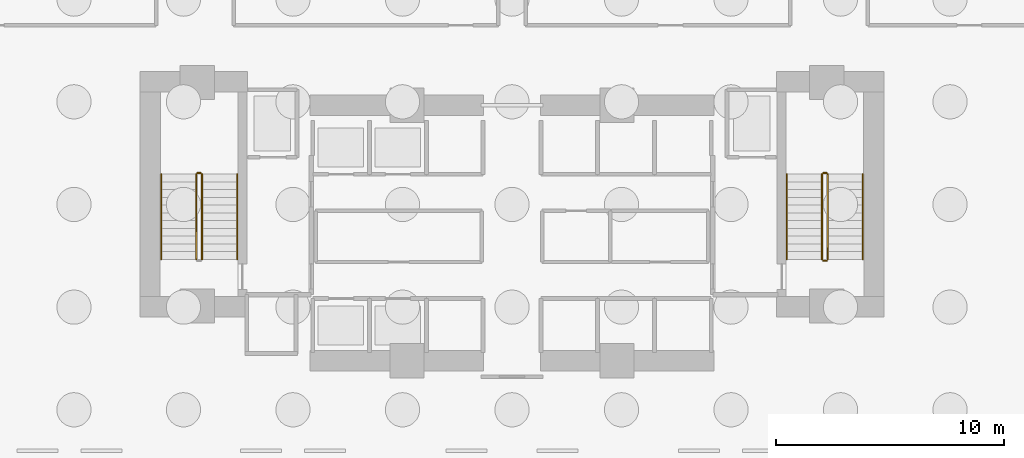
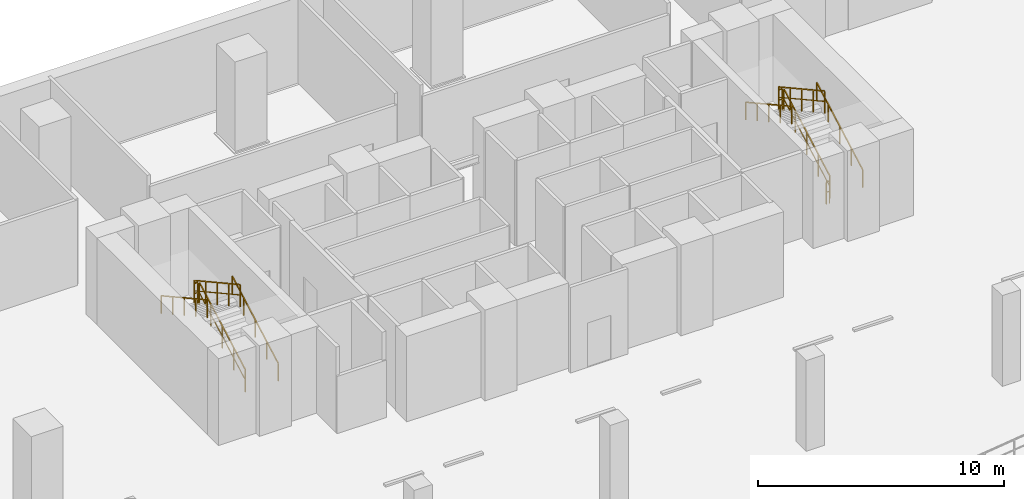
# One storey, part 10 of 13: 11 railings.
"""IFC4 building model written with IfcOpenShell, lengths in metres."""

import ifcopenshell
import ifcopenshell.guid

model = None  # the IFC model being written
_history = None  # IfcOwnerHistory: only IFC2X3 demands one
_inside = {}  # id of a spatial element -> (the spatial element, [elements in it])
_under = {}  # id of a project, library or spatial element -> (it, [spatial elements below it])
_declared = {}  # id of a project -> (the project, [libraries it declares])
_typed = {}  # id of a type object -> (the type object, [elements of that type])
_made_of = {}  # id of a material, layer set ... -> (it, [elements and type objects made of it])


def new_model(schema):
    """Start an empty IFC model of exactly this schema.

    Asked for "IFC4X3", IfcOpenShell would pick the latest addendum, in which some entities
    have other attributes; the version numbers below select the first issue.
    IFC2X3 requires an IfcOwnerHistory on every rooted entity: one is made here for all.
    """
    global model, _history
    if schema == "IFC4X3":
        model = ifcopenshell.file(schema_version=(4, 3, 0, 0))
    else:
        model = ifcopenshell.file(schema=schema)
    _inside.clear()
    _under.clear()
    _declared.clear()
    _typed.clear()
    _made_of.clear()
    _history = None
    if model.schema == "IFC2X3":
        org = make("IfcOrganization", Name="unknown")
        user = make(
            "IfcPersonAndOrganization",
            ThePerson=make("IfcPerson", FamilyName="unknown"),
            TheOrganization=org,
        )
        app = make(
            "IfcApplication",
            ApplicationDeveloper=org,
            Version="unknown",
            ApplicationFullName="unknown",
            ApplicationIdentifier="unknown",
        )
        _history = make(
            "IfcOwnerHistory",
            OwningUser=user,
            OwningApplication=app,
            ChangeAction="ADDED",
            CreationDate=0,
        )
    return model


def make(cls, **values):
    """One entity of the class cls with the attributes given. An attribute that is None is left unset."""
    return model.create_entity(
        cls, **{name: value for name, value in values.items() if value is not None}
    )


def rooted(cls, **values):
    """An entity with a GlobalId (a new one), such as an element, a storey or a relation."""
    return make(cls, GlobalId=ifcopenshell.guid.new(), OwnerHistory=_history, **values)


def si_unit(unit_type, name, prefix=None):
    """IfcSIUnit, for example si_unit("LENGTHUNIT", "METRE", prefix="MILLI")."""
    return make("IfcSIUnit", UnitType=unit_type, Prefix=prefix, Name=name)


def assignment(units):
    """IfcUnitAssignment: the units of a project."""
    return None if units is None else make("IfcUnitAssignment", Units=units)


def point(xyz):
    """IfcCartesianPoint."""
    return None if xyz is None else make("IfcCartesianPoint", Coordinates=xyz)


def direction(xyz):
    """IfcDirection."""
    return None if xyz is None else make("IfcDirection", DirectionRatios=xyz)


def frame(location, z_axis=None, x_axis=None):
    """IfcAxis2Placement3D, a coordinate frame: its origin and axes. An axis left out is left unset."""
    return make(
        "IfcAxis2Placement3D",
        Location=point(location),
        Axis=direction(z_axis),
        RefDirection=direction(x_axis),
    )


def frame_2d(location, x_axis=None):
    """IfcAxis2Placement2D, a coordinate frame in the plane: its origin and x axis."""
    return make(
        "IfcAxis2Placement2D", Location=point(location), RefDirection=direction(x_axis)
    )


def origin():
    """The frame at (0, 0, 0) with its axes left unset."""
    return frame((0.0, 0.0, 0.0))


def origin_2d():
    """The frame at (0, 0) in the plane with its x axis left unset."""
    return frame_2d((0.0, 0.0))


def place(relative_to, where):
    """IfcLocalPlacement: puts the frame where relative to a parent placement (None: the world)."""
    return make(
        "IfcLocalPlacement", PlacementRelTo=relative_to, RelativePlacement=where
    )


def context(
    kind, dimensions, precision=None, world=None, true_north=None, identifier=None
):
    """IfcGeometricRepresentationContext, for example the 3D "Model" context."""
    return make(
        "IfcGeometricRepresentationContext",
        ContextIdentifier=identifier,
        ContextType=kind,
        CoordinateSpaceDimension=dimensions,
        Precision=precision,
        WorldCoordinateSystem=world,
        TrueNorth=true_north,
    )


def subcontext(parent, identifier, kind, view, scale=None):
    """IfcGeometricRepresentationSubContext, for example "Body" below "Model"."""
    return make(
        "IfcGeometricRepresentationSubContext",
        ContextIdentifier=identifier,
        ContextType=kind,
        ParentContext=parent,
        TargetScale=scale,
        TargetView=view,
    )


def project(units=None, contexts=None):
    """IfcProject with its units and contexts."""
    return rooted(
        "IfcProject",
        Name="project",
        RepresentationContexts=contexts,
        UnitsInContext=assignment(units),
    )


def spatial(cls, under=None, at=None, **own):
    """A site, building, storey or space (cls), placed at a placement, below another one or the project."""
    s = rooted(cls, ObjectPlacement=at, **own)
    if under is not None:
        _under.setdefault(under.id(), (under, []))[1].append(s)
    return s


def profile(cls, at=None, kind="AREA", **sizes):
    """A parametric profile (cls). Its sizes go by their IFC names, for example OverallWidth=200.0."""
    return make(cls, ProfileType=kind, Position=at, **sizes)


def rectangle(**sizes):
    """IfcRectangleProfileDef."""
    return profile("IfcRectangleProfileDef", **sizes)


def extrude(swept, where, along, depth):
    """IfcExtrudedAreaSolid: the profile swept, set in the frame where, extruded along a direction by depth."""
    return make(
        "IfcExtrudedAreaSolid",
        SweptArea=swept,
        Position=where,
        ExtrudedDirection=direction(along),
        Depth=depth,
    )


def shape(context_of_items, identifier, shape_type, items):
    """IfcShapeRepresentation: the items that make up one representation, for example the "Body"."""
    return make(
        "IfcShapeRepresentation",
        ContextOfItems=context_of_items,
        RepresentationIdentifier=identifier,
        RepresentationType=shape_type,
        Items=items,
    )


def material(Name=None, Category=None):
    """IfcMaterial."""
    return make("IfcMaterial", Name=Name, Category=Category)


def made_of(thing, what):
    """Note that an element or type object is made of a material, layer set ...; save() writes the relation."""
    if what is not None:
        _made_of.setdefault(what.id(), (what, []))[1].append(thing)
    return thing


def type_object(cls, material=None, **own):
    """A type object (cls), such as IfcWallType, which elements share."""
    return made_of(rooted(cls, **own), material)


def element(
    cls,
    number,
    at=None,
    inside=None,
    cuts=None,
    type_object=None,
    material=None,
    context=None,
    identifier="Body",
    shape_type=None,
    held_by="IfcProductDefinitionShape",
    body=None,
    shapes=None,
    **own,
):
    """One element of the class cls, such as IfcWall. Its Tag is "e" and its number.

    at: its placement. inside: the storey or other place that contains it. cuts: it is an
    opening in that element (IfcRelVoidsElement). A single representation is given by context,
    identifier, shape_type and body (its items); several are given by shapes. held_by: the class
    of the entity that holds the representations. save() writes the other relations.
    """
    e = rooted(cls, Tag="e%d" % number, ObjectPlacement=at, **own)
    if body is not None:
        shapes = [shape(context, identifier, shape_type, body)]
    if shapes is not None:
        e.Representation = make(held_by, Representations=shapes)
    if inside is not None:
        _inside.setdefault(inside.id(), (inside, []))[1].append(e)
    if cuts is not None:
        rooted(
            "IfcRelVoidsElement", RelatingBuildingElement=cuts, RelatedOpeningElement=e
        )
    if type_object is not None:
        _typed.setdefault(type_object.id(), (type_object, []))[1].append(e)
    return made_of(e, material)


def aggregate(whole, parts):
    """IfcRelAggregates: a whole, such as a stair, and the parts it consists of."""
    return rooted("IfcRelAggregates", RelatingObject=whole, RelatedObjects=parts)


def save(model, path):
    """Write the relations noted so far, then the file.

    IfcRelAggregates (storeys below a building ...), IfcRelContainedInSpatialStructure (elements
    in a storey), IfcRelDefinesByType, IfcRelAssociatesMaterial and IfcRelDeclares: one each for
    every whole, place, type object, material and project.
    """
    for whole, parts in _under.values():
        aggregate(whole, parts)
    for where, things in _inside.values():
        rooted(
            "IfcRelContainedInSpatialStructure",
            RelatedElements=things,
            RelatingStructure=where,
        )
    for kind, things in _typed.values():
        rooted("IfcRelDefinesByType", RelatedObjects=things, RelatingType=kind)
    for what, things in _made_of.values():
        rooted("IfcRelAssociatesMaterial", RelatedObjects=things, RelatingMaterial=what)
    for by, libraries in _declared.values():
        rooted("IfcRelDeclares", RelatingContext=by, RelatedDefinitions=libraries)
    model.write(path)


model = new_model("IFC4")

# Units and contexts
model_context = context("Model", 3, precision=1e-05, world=origin(), true_north=direction((0.0, 1.0)))
body_context = subcontext(model_context, "Body", "Model", "MODEL_VIEW")
ifc_project = project(units=[si_unit("LENGTHUNIT", "METRE"), si_unit("AREAUNIT", "SQUARE_METRE"), si_unit("VOLUMEUNIT", "CUBIC_METRE"), si_unit("PLANEANGLEUNIT", "RADIAN"), si_unit("MASSUNIT", "GRAM", prefix="KILO")], contexts=[model_context])

# Site, building, storey
site_placement = place(None, origin())
site = spatial("IfcSite", under=ifc_project, at=site_placement, CompositionType="ELEMENT")
building_placement = place(site_placement, origin())
building = spatial("IfcBuilding", under=site, at=building_placement, Name="Zuhayl Quay Hotel", CompositionType="ELEMENT")
storey_placement = place(building_placement, frame((0.0, 0.0, -9.0)))
storey = spatial("IfcBuildingStorey", under=building, at=storey_placement, Name="B2", CompositionType="ELEMENT", Elevation=-9.0)

# Railings
ifc_material = material(Name="Steel ASTM A992 Grade 50", Category="steel")
railing_type_1 = type_object("IfcRailingType", Name="RL_GUARD_1100", PredefinedType="GUARDRAIL", material=ifc_material)
railing_1_placement = place(storey_placement, frame((-13.590087890625, 6.590087890625, 0.1875)))
element("IfcRailing", 1, at=railing_1_placement, inside=storey, type_object=railing_type_1, Name="B2 ST1 stair guard 1", PredefinedType="GUARDRAIL", context=body_context, shape_type="SweptSolid", body=[
    extrude(rectangle(XDim=0.048095703125, YDim=0.048095703125, at=origin_2d()), frame((0.0, 0.0, 1.09619140625), z_axis=(0.0, 0.875671045107, 0.482908087281), x_axis=(-1.0, 0.0, 0.0)), (0.0, 0.0, 1.0), 4.27099609375),
    extrude(rectangle(XDim=0.0361328125, YDim=0.0361328125, at=origin_2d()), frame((0.0, 0.0, 0.58251953125), z_axis=(0.0, 0.875671045107, 0.482908087281), x_axis=(-1.0, 0.0, 0.0)), (0.0, 0.0, 1.0), 4.27099609375),
    extrude(rectangle(XDim=0.0419921875, YDim=0.0419921875, at=origin_2d()), origin(), (0.0, 0.0, 1.0), 1.072021484375),
    extrude(rectangle(XDim=0.0419921875, YDim=0.0419921875, at=origin_2d()), frame((0.0, 0.93505859375, 0.515625)), (0.0, 0.0, 1.0), 1.072021484375),
    extrude(rectangle(XDim=0.0419921875, YDim=0.0419921875, at=origin_2d()), frame((0.0, 1.8701171875, 1.03125)), (0.0, 0.0, 1.0), 1.072021484375),
    extrude(rectangle(XDim=0.0419921875, YDim=0.0419921875, at=origin_2d()), frame((0.0, 2.804931640625, 1.546875)), (0.0, 0.0, 1.0), 1.072021484375),
    extrude(rectangle(XDim=0.0419921875, YDim=0.0419921875, at=origin_2d()), frame((0.0, 3.739990234375, 2.0625)), (0.0, 0.0, 1.0), 1.072021484375),
])
railing_2_placement = place(storey_placement, frame((-13.639892578125, 10.3798828125, 2.25)))
element("IfcRailing", 2, at=railing_2_placement, inside=storey, type_object=railing_type_1, Name="B2 ST1 stair guard 2", PredefinedType="GUARDRAIL", context=body_context, shape_type="SweptSolid", body=[
    extrude(rectangle(XDim=0.048095703125, YDim=0.048095703125, at=origin_2d()), frame((0.0, 0.0, 1.09619140625), z_axis=(-1.0, 0.0, 0.0), x_axis=(0.0, -1.0, 0.0)), (0.0, 0.0, 1.0), 0.150146484375),
    extrude(rectangle(XDim=0.0361328125, YDim=0.0361328125, at=origin_2d()), frame((0.0, 0.0, 0.58251953125), z_axis=(-1.0, 0.0, 0.0), x_axis=(0.0, -1.0, 0.0)), (0.0, 0.0, 1.0), 0.150146484375),
    extrude(rectangle(XDim=0.0419921875, YDim=0.0419921875, at=origin_2d()), origin(), (0.0, 0.0, 1.0), 1.072021484375),
    extrude(rectangle(XDim=0.0419921875, YDim=0.0419921875, at=origin_2d()), frame((-0.150146484375, 0.0, 0.0)), (0.0, 0.0, 1.0), 1.072021484375),
])
railing_3_placement = place(storey_placement, frame((-13.840087890625, 10.330078125, 2.4375)))
element("IfcRailing", 3, at=railing_3_placement, inside=storey, type_object=railing_type_1, Name="B2 ST1 stair guard 3", PredefinedType="GUARDRAIL", context=body_context, shape_type="SweptSolid", body=[
    extrude(rectangle(XDim=0.048095703125, YDim=0.048095703125, at=origin_2d()), frame((0.0, 0.0, 1.09619140625), z_axis=(0.0, -0.875671045107, 0.482908087281), x_axis=(1.0, 0.0, 0.0)), (0.0, 0.0, 1.0), 4.27099609375),
    extrude(rectangle(XDim=0.0361328125, YDim=0.0361328125, at=origin_2d()), frame((0.0, 0.0, 0.58251953125), z_axis=(0.0, -0.875671045107, 0.482908087281), x_axis=(1.0, 0.0, 0.0)), (0.0, 0.0, 1.0), 4.27099609375),
    extrude(rectangle(XDim=0.0419921875, YDim=0.0419921875, at=origin_2d()), origin(), (0.0, 0.0, 1.0), 1.072021484375),
    extrude(rectangle(XDim=0.0419921875, YDim=0.0419921875, at=origin_2d()), frame((0.0, -0.93505859375, 0.515625)), (0.0, 0.0, 1.0), 1.072021484375),
    extrude(rectangle(XDim=0.0419921875, YDim=0.0419921875, at=origin_2d()), frame((0.0, -1.8701171875, 1.03125)), (0.0, 0.0, 1.0), 1.072021484375),
    extrude(rectangle(XDim=0.0419921875, YDim=0.0419921875, at=origin_2d()), frame((0.0, -2.804931640625, 1.546875)), (0.0, 0.0, 1.0), 1.072021484375),
    extrude(rectangle(XDim=0.0419921875, YDim=0.0419921875, at=origin_2d()), frame((0.0, -3.739990234375, 2.0625)), (0.0, 0.0, 1.0), 1.072021484375),
])
railing_4_placement = place(storey_placement, frame((13.840087890625, 6.590087890625, 0.1875)))
element("IfcRailing", 4, at=railing_4_placement, inside=storey, type_object=railing_type_1, Name="B2 ST2 stair guard 1", PredefinedType="GUARDRAIL", context=body_context, shape_type="SweptSolid", body=[
    extrude(rectangle(XDim=0.048095703125, YDim=0.048095703125, at=origin_2d()), frame((0.0, 0.0, 1.09619140625), z_axis=(0.0, 0.875671045107, 0.482908087281), x_axis=(-1.0, 0.0, 0.0)), (0.0, 0.0, 1.0), 4.27099609375),
    extrude(rectangle(XDim=0.0361328125, YDim=0.0361328125, at=origin_2d()), frame((0.0, 0.0, 0.58251953125), z_axis=(0.0, 0.875671045107, 0.482908087281), x_axis=(-1.0, 0.0, 0.0)), (0.0, 0.0, 1.0), 4.27099609375),
    extrude(rectangle(XDim=0.0419921875, YDim=0.0419921875, at=origin_2d()), origin(), (0.0, 0.0, 1.0), 1.072021484375),
    extrude(rectangle(XDim=0.0419921875, YDim=0.0419921875, at=origin_2d()), frame((0.0, 0.93505859375, 0.515625)), (0.0, 0.0, 1.0), 1.072021484375),
    extrude(rectangle(XDim=0.0419921875, YDim=0.0419921875, at=origin_2d()), frame((0.0, 1.8701171875, 1.03125)), (0.0, 0.0, 1.0), 1.072021484375),
    extrude(rectangle(XDim=0.0419921875, YDim=0.0419921875, at=origin_2d()), frame((0.0, 2.804931640625, 1.546875)), (0.0, 0.0, 1.0), 1.072021484375),
    extrude(rectangle(XDim=0.0419921875, YDim=0.0419921875, at=origin_2d()), frame((0.0, 3.739990234375, 2.0625)), (0.0, 0.0, 1.0), 1.072021484375),
])
railing_5_placement = place(storey_placement, frame((13.7900390625, 10.3798828125, 2.25)))
element("IfcRailing", 5, at=railing_5_placement, inside=storey, type_object=railing_type_1, Name="B2 ST2 stair guard 2", PredefinedType="GUARDRAIL", context=body_context, shape_type="SweptSolid", body=[
    extrude(rectangle(XDim=0.048095703125, YDim=0.048095703125, at=origin_2d()), frame((0.0, 0.0, 1.09619140625), z_axis=(-1.0, 0.0, 0.0), x_axis=(0.0, -1.0, 0.0)), (0.0, 0.0, 1.0), 0.150146484375),
    extrude(rectangle(XDim=0.0361328125, YDim=0.0361328125, at=origin_2d()), frame((0.0, 0.0, 0.58251953125), z_axis=(-1.0, 0.0, 0.0), x_axis=(0.0, -1.0, 0.0)), (0.0, 0.0, 1.0), 0.150146484375),
    extrude(rectangle(XDim=0.0419921875, YDim=0.0419921875, at=origin_2d()), origin(), (0.0, 0.0, 1.0), 1.072021484375),
    extrude(rectangle(XDim=0.0419921875, YDim=0.0419921875, at=origin_2d()), frame((-0.150146484375, 0.0, 0.0)), (0.0, 0.0, 1.0), 1.072021484375),
])
railing_6_placement = place(storey_placement, frame((13.590087890625, 10.330078125, 2.4375)))
element("IfcRailing", 6, at=railing_6_placement, inside=storey, type_object=railing_type_1, Name="B2 ST2 stair guard 3", PredefinedType="GUARDRAIL", context=body_context, shape_type="SweptSolid", body=[
    extrude(rectangle(XDim=0.048095703125, YDim=0.048095703125, at=origin_2d()), frame((0.0, 0.0, 1.09619140625), z_axis=(0.0, -0.875671045107, 0.482908087281), x_axis=(1.0, 0.0, 0.0)), (0.0, 0.0, 1.0), 4.27099609375),
    extrude(rectangle(XDim=0.0361328125, YDim=0.0361328125, at=origin_2d()), frame((0.0, 0.0, 0.58251953125), z_axis=(0.0, -0.875671045107, 0.482908087281), x_axis=(1.0, 0.0, 0.0)), (0.0, 0.0, 1.0), 4.27099609375),
    extrude(rectangle(XDim=0.0419921875, YDim=0.0419921875, at=origin_2d()), origin(), (0.0, 0.0, 1.0), 1.072021484375),
    extrude(rectangle(XDim=0.0419921875, YDim=0.0419921875, at=origin_2d()), frame((0.0, -0.93505859375, 0.515625)), (0.0, 0.0, 1.0), 1.072021484375),
    extrude(rectangle(XDim=0.0419921875, YDim=0.0419921875, at=origin_2d()), frame((0.0, -1.8701171875, 1.03125)), (0.0, 0.0, 1.0), 1.072021484375),
    extrude(rectangle(XDim=0.0419921875, YDim=0.0419921875, at=origin_2d()), frame((0.0, -2.804931640625, 1.546875)), (0.0, 0.0, 1.0), 1.072021484375),
    extrude(rectangle(XDim=0.0419921875, YDim=0.0419921875, at=origin_2d()), frame((0.0, -3.739990234375, 2.0625)), (0.0, 0.0, 1.0), 1.072021484375),
])
railing_7_placement = place(storey_placement, frame((13.7900390625, 6.5400390625, 0.0)))
element("IfcRailing", 7, at=railing_7_placement, inside=storey, type_object=railing_type_1, Name="B2 ST2 stair guard 4", PredefinedType="GUARDRAIL", context=body_context, shape_type="SweptSolid", body=[
    extrude(rectangle(XDim=0.048095703125, YDim=0.048095703125, at=origin_2d()), frame((0.0, 0.0, 1.09619140625), z_axis=(-1.0, 0.0, 0.0), x_axis=(0.0, -1.0, 0.0)), (0.0, 0.0, 1.0), 0.150146484375),
    extrude(rectangle(XDim=0.0361328125, YDim=0.0361328125, at=origin_2d()), frame((0.0, 0.0, 0.58251953125), z_axis=(-1.0, 0.0, 0.0), x_axis=(0.0, -1.0, 0.0)), (0.0, 0.0, 1.0), 0.150146484375),
    extrude(rectangle(XDim=0.0419921875, YDim=0.0419921875, at=origin_2d()), origin(), (0.0, 0.0, 1.0), 1.072021484375),
    extrude(rectangle(XDim=0.0419921875, YDim=0.0419921875, at=origin_2d()), frame((-0.150146484375, 0.0, 0.0)), (0.0, 0.0, 1.0), 1.072021484375),
])
railing_type_2 = type_object("IfcRailingType", Name="RL_HANDRAIL_920", PredefinedType="HANDRAIL", material=ifc_material)
railing_8_placement = place(storey_placement, frame((-12.050048828125, 6.590087890625, 0.1875)))
element("IfcRailing", 8, at=railing_8_placement, inside=storey, type_object=railing_type_2, Name="B2 ST1 stair handrail 1", PredefinedType="HANDRAIL", context=body_context, shape_type="SweptSolid", body=[
    extrude(rectangle(XDim=0.048095703125, YDim=0.048095703125, at=origin_2d()), frame((0.0, 0.0, 0.8759765625), z_axis=(0.0, 0.875671045107, 0.482908087281), x_axis=(-1.0, 0.0, 0.0)), (0.0, 0.0, 1.0), 4.27099609375),
    extrude(rectangle(XDim=0.0419921875, YDim=0.0419921875, at=origin_2d()), origin(), (0.0, 0.0, 1.0), 0.851806640625),
    extrude(rectangle(XDim=0.0419921875, YDim=0.0419921875, at=origin_2d()), frame((0.0, 0.93505859375, 0.515625)), (0.0, 0.0, 1.0), 0.851806640625),
    extrude(rectangle(XDim=0.0419921875, YDim=0.0419921875, at=origin_2d()), frame((0.0, 1.8701171875, 1.03125)), (0.0, 0.0, 1.0), 0.851806640625),
    extrude(rectangle(XDim=0.0419921875, YDim=0.0419921875, at=origin_2d()), frame((0.0, 2.804931640625, 1.546875)), (0.0, 0.0, 1.0), 0.851806640625),
    extrude(rectangle(XDim=0.0419921875, YDim=0.0419921875, at=origin_2d()), frame((0.0, 3.739990234375, 2.0625)), (0.0, 0.0, 1.0), 0.851806640625),
])
railing_9_placement = place(storey_placement, frame((-15.3798828125, 10.330078125, 2.4375)))
element("IfcRailing", 9, at=railing_9_placement, inside=storey, type_object=railing_type_2, Name="B2 ST1 stair handrail 2", PredefinedType="HANDRAIL", context=body_context, shape_type="SweptSolid", body=[
    extrude(rectangle(XDim=0.048095703125, YDim=0.048095703125, at=origin_2d()), frame((0.0, 0.0, 0.8759765625), z_axis=(0.0, -0.875671045107, 0.482908087281), x_axis=(1.0, 0.0, 0.0)), (0.0, 0.0, 1.0), 4.27099609375),
    extrude(rectangle(XDim=0.0419921875, YDim=0.0419921875, at=origin_2d()), origin(), (0.0, 0.0, 1.0), 0.851806640625),
    extrude(rectangle(XDim=0.0419921875, YDim=0.0419921875, at=origin_2d()), frame((0.0, -0.93505859375, 0.515625)), (0.0, 0.0, 1.0), 0.851806640625),
    extrude(rectangle(XDim=0.0419921875, YDim=0.0419921875, at=origin_2d()), frame((0.0, -1.8701171875, 1.03125)), (0.0, 0.0, 1.0), 0.851806640625),
    extrude(rectangle(XDim=0.0419921875, YDim=0.0419921875, at=origin_2d()), frame((0.0, -2.804931640625, 1.546875)), (0.0, 0.0, 1.0), 0.851806640625),
    extrude(rectangle(XDim=0.0419921875, YDim=0.0419921875, at=origin_2d()), frame((0.0, -3.739990234375, 2.0625)), (0.0, 0.0, 1.0), 0.851806640625),
])
railing_10_placement = place(storey_placement, frame((15.3798828125, 6.590087890625, 0.1875)))
element("IfcRailing", 10, at=railing_10_placement, inside=storey, type_object=railing_type_2, Name="B2 ST2 stair handrail 1", PredefinedType="HANDRAIL", context=body_context, shape_type="SweptSolid", body=[
    extrude(rectangle(XDim=0.048095703125, YDim=0.048095703125, at=origin_2d()), frame((0.0, 0.0, 0.8759765625), z_axis=(0.0, 0.875671045107, 0.482908087281), x_axis=(-1.0, 0.0, 0.0)), (0.0, 0.0, 1.0), 4.27099609375),
    extrude(rectangle(XDim=0.0419921875, YDim=0.0419921875, at=origin_2d()), origin(), (0.0, 0.0, 1.0), 0.851806640625),
    extrude(rectangle(XDim=0.0419921875, YDim=0.0419921875, at=origin_2d()), frame((0.0, 0.93505859375, 0.515625)), (0.0, 0.0, 1.0), 0.851806640625),
    extrude(rectangle(XDim=0.0419921875, YDim=0.0419921875, at=origin_2d()), frame((0.0, 1.8701171875, 1.03125)), (0.0, 0.0, 1.0), 0.851806640625),
    extrude(rectangle(XDim=0.0419921875, YDim=0.0419921875, at=origin_2d()), frame((0.0, 2.804931640625, 1.546875)), (0.0, 0.0, 1.0), 0.851806640625),
    extrude(rectangle(XDim=0.0419921875, YDim=0.0419921875, at=origin_2d()), frame((0.0, 3.739990234375, 2.0625)), (0.0, 0.0, 1.0), 0.851806640625),
])
railing_11_placement = place(storey_placement, frame((12.050048828125, 10.330078125, 2.4375)))
element("IfcRailing", 11, at=railing_11_placement, inside=storey, type_object=railing_type_2, Name="B2 ST2 stair handrail 2", PredefinedType="HANDRAIL", context=body_context, shape_type="SweptSolid", body=[
    extrude(rectangle(XDim=0.048095703125, YDim=0.048095703125, at=origin_2d()), frame((0.0, 0.0, 0.8759765625), z_axis=(0.0, -0.875671045107, 0.482908087281), x_axis=(1.0, 0.0, 0.0)), (0.0, 0.0, 1.0), 4.27099609375),
    extrude(rectangle(XDim=0.0419921875, YDim=0.0419921875, at=origin_2d()), origin(), (0.0, 0.0, 1.0), 0.851806640625),
    extrude(rectangle(XDim=0.0419921875, YDim=0.0419921875, at=origin_2d()), frame((0.0, -0.93505859375, 0.515625)), (0.0, 0.0, 1.0), 0.851806640625),
    extrude(rectangle(XDim=0.0419921875, YDim=0.0419921875, at=origin_2d()), frame((0.0, -1.8701171875, 1.03125)), (0.0, 0.0, 1.0), 0.851806640625),
    extrude(rectangle(XDim=0.0419921875, YDim=0.0419921875, at=origin_2d()), frame((0.0, -2.804931640625, 1.546875)), (0.0, 0.0, 1.0), 0.851806640625),
    extrude(rectangle(XDim=0.0419921875, YDim=0.0419921875, at=origin_2d()), frame((0.0, -3.739990234375, 2.0625)), (0.0, 0.0, 1.0), 0.851806640625),
])

save(model, "model.ifc")
